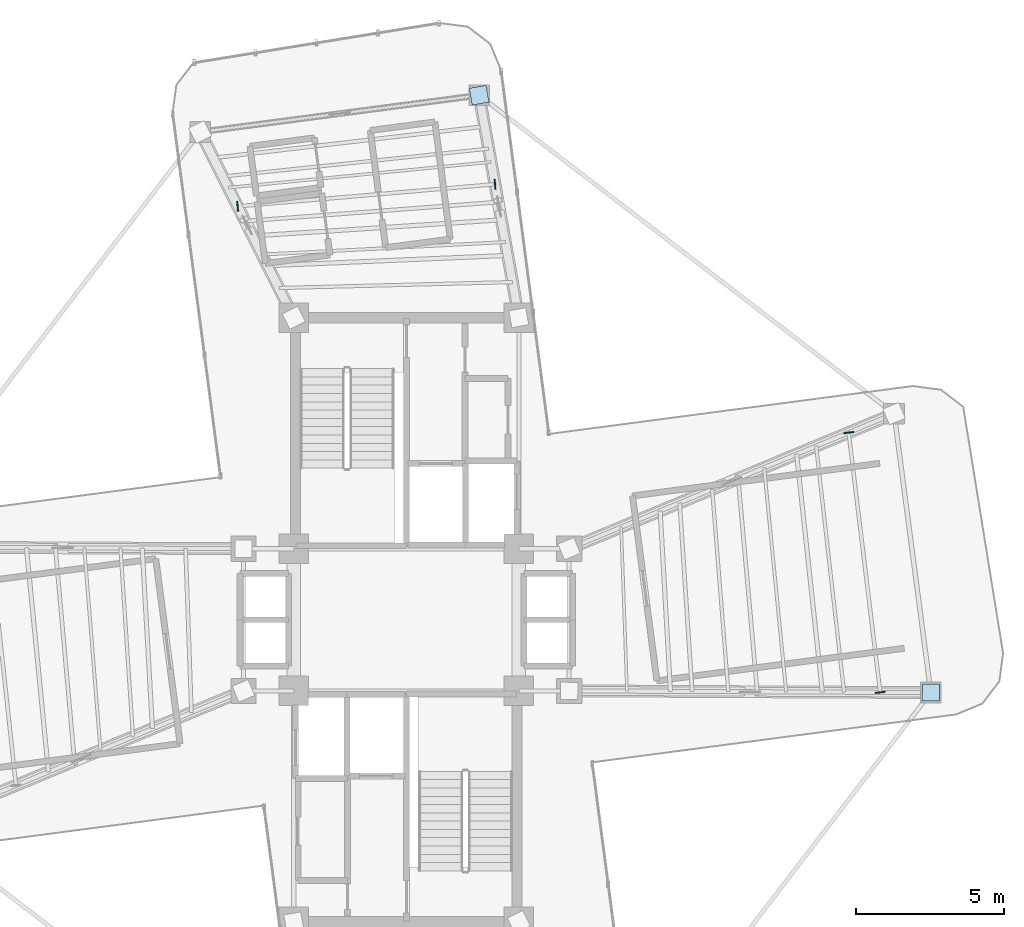
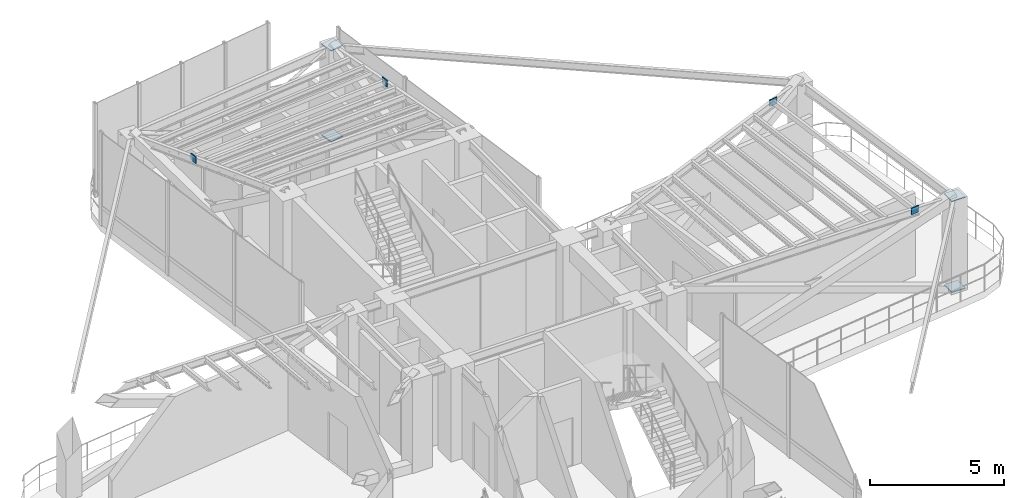
# One storey, part 13 of 17: 8 plates.
"""IFC4 building model written with IfcOpenShell, lengths in metres."""

from ifc_helpers import new_model, si_unit, direction, frame, origin, origin_2d, place, context, subcontext, project, spatial, rectangle, extrude, source, transform, mapped, material, type_object, element, save


model = new_model("IFC4")

# Units and contexts
model_context = context("Model", 3, precision=1e-05, world=origin(), true_north=direction((0.0, 1.0)))
body_context = subcontext(model_context, "Body", "Model", "MODEL_VIEW")
ifc_project = project(units=[si_unit("LENGTHUNIT", "METRE"), si_unit("AREAUNIT", "SQUARE_METRE"), si_unit("VOLUMEUNIT", "CUBIC_METRE"), si_unit("PLANEANGLEUNIT", "RADIAN"), si_unit("MASSUNIT", "GRAM", prefix="KILO")], contexts=[model_context])

# Site, building, storey
site_placement = place(None, origin())
site = spatial("IfcSite", under=ifc_project, at=site_placement, CompositionType="ELEMENT")
building_placement = place(site_placement, origin())
building = spatial("IfcBuilding", under=site, at=building_placement, Name="Sahyath Konkavel Grand Hotel", CompositionType="ELEMENT")
storey_placement = place(building_placement, frame((0.0, 0.0, 264.60009765625)))
storey = spatial("IfcBuildingStorey", under=building, at=storey_placement, Name="L74", CompositionType="ELEMENT", Elevation=264.60009765625)

# Plates
ifc_material = material(Name="Steel E450", Category="steel")
plate_type = type_object("IfcPlateType", Name="GUSSET-END-35", PredefinedType="USERDEFINED", material=ifc_material)
shared_shape_1 = source(origin(), body_context, "Body", "SweptSolid", [
    extrude(rectangle(XDim=0.580078125, YDim=0.580078125, at=origin_2d()), origin(), (0.0, 0.0, 1.0), 0.044921875),
])
for number, where, z_axis, x_axis, name in (
    (1, (17.71240234375, -2.458984375, 0.02734375), (0.0, 0.0, 1.0), (0.999988313528, -0.004834543195, 0.0), "L74 Core Outrigger Truss EA Cast-In Embed Gusset Plate BR"),
    (2, (17.71240234375, -2.458984375, 4.1875), (0.0, 0.0, 1.0), (0.999988313528, -0.004834543195, 0.0), "L74 Core Outrigger Truss EA Cast-In Embed Gusset Plate TR"),
    (3, (2.458984375, 17.71240234375, 0.02734375), (0.0, 0.0, 1.0), (-0.175710371841, 0.984441905461, 0.0), "L74 Core Outrigger Truss NA Cast-In Embed Gusset Plate BR"),
    (4, (2.458984375, 17.71240234375, 4.1875), (0.0, 0.0, 1.0), (-0.175710371841, 0.984441905461, 0.0), "L74 Core Outrigger Truss NA Cast-In Embed Gusset Plate TR"),
):
    element("IfcPlate", number, at=place(storey_placement, frame(where, z_axis=z_axis, x_axis=x_axis)), inside=storey, type_object=plate_type, Name=name, ObjectType="GUSSET_PLATE", PredefinedType="USERDEFINED", context=body_context, shape_type="MappedRepresentation", body=[
        mapped(shared_shape_1, transform((0.0, 0.0, 0.0), scale=1.0)),
    ])
shared_shape_2 = source(origin(), body_context, "Body", "SweptSolid", [
    extrude(rectangle(XDim=0.0400390625, YDim=0.340087890625, at=origin_2d()), origin(), (0.0, 0.0, 1.0), 0.300048828125),
])
for number, where, z_axis, x_axis, name in (
    (5, (16.002685546875, -2.45068359375, 4.0), (0.0, 0.0, 1.0), (-0.120673954637, 0.992692196339, 0.0), "L74 Sub-Beam E-6 End Cap A"),
    (6, (14.936279296875, 6.3212890625, 4.0), (0.0, 0.0, 1.0), (-0.120673954637, 0.992692196339, 0.0), "L74 Sub-Beam E-6 End Cap B"),
    (7, (2.99560546875, 14.70751953125, 4.0), (0.0, 0.0, 1.0), (-0.996355724401, -0.085295195959, 0.0), "L74 Sub-Beam N-4 End Cap A"),
    (8, (-5.69580078125, 13.96337890625, 4.0), (0.0, 0.0, 1.0), (-0.996355724401, -0.085295195959, 0.0), "L74 Sub-Beam N-4 End Cap B"),
):
    element("IfcPlate", number, at=place(storey_placement, frame(where, z_axis=z_axis, x_axis=x_axis)), inside=storey, type_object=plate_type, Name=name, ObjectType="GUSSET_PLATE", PredefinedType="USERDEFINED", context=body_context, shape_type="MappedRepresentation", body=[
        mapped(shared_shape_2, transform((0.0, 0.0, 0.0), scale=1.0)),
    ])

save(model, "model.ifc")
